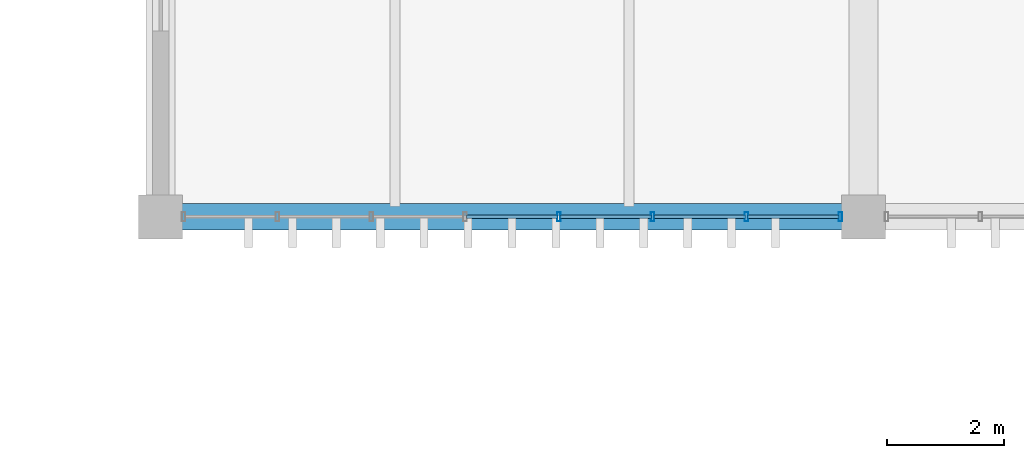
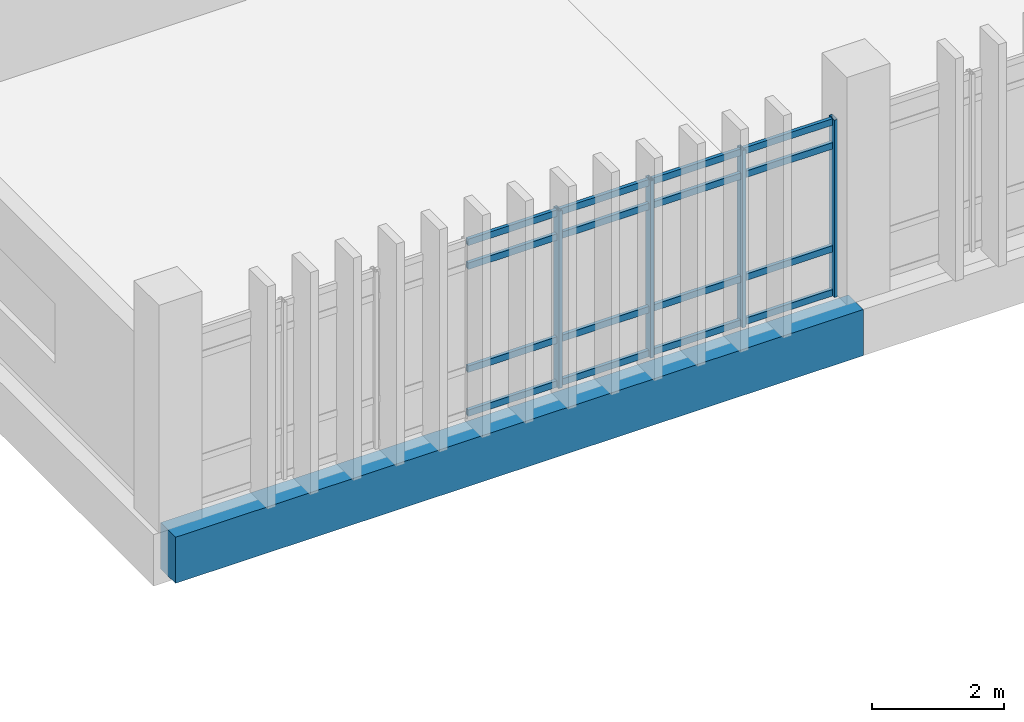
# One storey, part 67 of 161: 20 members, 1 beam, 1 element without a shape of its own.
"""IFC4 building model written with IfcOpenShell, lengths in metres."""

from ifc_helpers import new_model, si_unit, direction, frame, origin, origin_2d, place, context, subcontext, project, spatial, rectangle, hollow_rectangle, extrude, material, layer, layer_set, material_profile, profile_set, type_object, element, aggregate, save


model = new_model("IFC4")

# Units and contexts
model_context = context("Model", 3, precision=1e-05, world=origin(), true_north=direction((0.0, 1.0)))
body_context = subcontext(model_context, "Body", "Model", "MODEL_VIEW")
ifc_project = project(units=[si_unit("LENGTHUNIT", "METRE"), si_unit("AREAUNIT", "SQUARE_METRE"), si_unit("VOLUMEUNIT", "CUBIC_METRE"), si_unit("PLANEANGLEUNIT", "RADIAN"), si_unit("MASSUNIT", "GRAM", prefix="KILO")], contexts=[model_context])

# Site, building, storey
site_placement = place(None, origin())
site = spatial("IfcSite", under=ifc_project, at=site_placement, CompositionType="ELEMENT")
building_placement = place(site_placement, origin())
building = spatial("IfcBuilding", under=site, at=building_placement, Name="Mersad Railyard Sports Hall", CompositionType="ELEMENT")
storey_placement = place(building_placement, frame((0.0, 0.0, 4.800048828125)))
storey = spatial("IfcBuildingStorey", under=building, at=storey_placement, Name="L01", CompositionType="ELEMENT", Elevation=4.800048828125)

# Curtain wall, members
ifc_material_1 = material(Name="Aluminium 6063-T6", Category="aluminium")
ifc_layer = layer(ifc_material_1, 0.159912109375)
ifc_layer_set = layer_set([ifc_layer], Name="Aluminium 6063-T6")
curtain_wall_type = type_object("IfcCurtainWallType", Name="ARC-CW-CW37", PredefinedType="USERDEFINED", material=ifc_layer_set)
curtain_wall_placement = place(storey_placement, origin())
curtain_wall = element("IfcCurtainWall", 1, at=curtain_wall_placement, inside=storey, type_object=curtain_wall_type, Name="Curtain wall CW37-0104", ObjectType="CURTAIN WALL", PredefinedType="USERDEFINED")
ifc_material_profile_1 = material_profile(ifc_material_1, hollow_rectangle(XDim=0.06005859375, YDim=0.159912109375, WallThickness=0.00390625, at=origin_2d()), Name="AL MULLION 60x160x4")
ifc_profile_set_1 = profile_set([ifc_material_profile_1], Name="Aluminium 6063-T6")
member_type_1 = type_object("IfcMemberType", Name="ARC-CW-MUL01", PredefinedType="MULLION", material=ifc_profile_set_1)
member_1_placement = place(storey_placement, frame((54.60498046875, 85.0, -0.02001953125), z_axis=(0.0, 0.0, 1.0), x_axis=(1.0, 0.0, 0.0)))
member_1 = element("IfcMember", 2, at=member_1_placement, type_object=member_type_1, Name="CW37 Mullion 1", PredefinedType="MULLION", context=body_context, shape_type="SweptSolid", body=[
    extrude(hollow_rectangle(XDim=0.06005859375, YDim=0.159912109375, WallThickness=0.00390625, at=origin_2d()), origin(), (0.0, 0.0, 1.0), 3.27001953125),
])
member_2_placement = place(storey_placement, frame((53.003662109375, 85.0, -0.02001953125), z_axis=(0.0, 0.0, 1.0), x_axis=(1.0, 0.0, 0.0)))
member_2 = element("IfcMember", 3, at=member_2_placement, type_object=member_type_1, Name="CW37 Mullion 2", PredefinedType="MULLION", context=body_context, shape_type="SweptSolid", body=[
    extrude(hollow_rectangle(XDim=0.06005859375, YDim=0.159912109375, WallThickness=0.00390625, at=origin_2d()), origin(), (0.0, 0.0, 1.0), 3.27001953125),
])
member_3_placement = place(storey_placement, frame((51.402099609375, 85.0, -0.02001953125), z_axis=(0.0, 0.0, 1.0), x_axis=(1.0, 0.0, 0.0)))
member_3 = element("IfcMember", 4, at=member_3_placement, type_object=member_type_1, Name="CW37 Mullion 3", PredefinedType="MULLION", context=body_context, shape_type="SweptSolid", body=[
    extrude(hollow_rectangle(XDim=0.06005859375, YDim=0.159912109375, WallThickness=0.00390625, at=origin_2d()), origin(), (0.0, 0.0, 1.0), 3.27001953125),
])
member_4_placement = place(storey_placement, frame((49.80078125, 85.0, -0.02001953125), z_axis=(0.0, 0.0, 1.0), x_axis=(1.0, 0.0, 0.0)))
member_4 = element("IfcMember", 5, at=member_4_placement, type_object=member_type_1, Name="CW37 Mullion 4", PredefinedType="MULLION", context=body_context, shape_type="SweptSolid", body=[
    extrude(hollow_rectangle(XDim=0.06005859375, YDim=0.159912109375, WallThickness=0.00390625, at=origin_2d()), origin(), (0.0, 0.0, 1.0), 3.27001953125),
])
ifc_material_profile_2 = material_profile(ifc_material_1, hollow_rectangle(XDim=0.06005859375, YDim=0.1201171875, WallThickness=0.00390625, at=origin_2d()), Name="AL TRANSOM 60x120x4")
ifc_profile_set_2 = profile_set([ifc_material_profile_2], Name="Aluminium 6063-T6")
member_type_2 = type_object("IfcMemberType", Name="ARC-CW-TRN01", PredefinedType="USERDEFINED", material=ifc_profile_set_2)
member_5_placement = place(storey_placement, frame((54.5849609375, 85.0, 0.0400390625), z_axis=(-1.0, 0.0, 0.0), x_axis=(0.0, -1.0, 0.0)))
member_5 = element("IfcMember", 6, at=member_5_placement, type_object=member_type_2, Name="CW37 Transom 1-1", ObjectType="TRANSOM", PredefinedType="USERDEFINED", context=body_context, shape_type="SweptSolid", body=[
    extrude(hollow_rectangle(XDim=0.06005859375, YDim=0.1201171875, WallThickness=0.00390625, at=origin_2d()), origin(), (0.0, 0.0, 1.0), 1.561279296875),
])
member_6_placement = place(storey_placement, frame((52.983642578125, 85.0, 0.0400390625), z_axis=(-1.0, 0.0, 0.0), x_axis=(0.0, -1.0, 0.0)))
member_6 = element("IfcMember", 7, at=member_6_placement, type_object=member_type_2, Name="CW37 Transom 1-2", ObjectType="TRANSOM", PredefinedType="USERDEFINED", context=body_context, shape_type="SweptSolid", body=[
    extrude(hollow_rectangle(XDim=0.06005859375, YDim=0.1201171875, WallThickness=0.00390625, at=origin_2d()), origin(), (0.0, 0.0, 1.0), 1.5615234375),
])
member_7_placement = place(storey_placement, frame((51.382080078125, 85.0, 0.0400390625), z_axis=(-1.0, 0.0, 0.0), x_axis=(0.0, -1.0, 0.0)))
member_7 = element("IfcMember", 8, at=member_7_placement, type_object=member_type_2, Name="CW37 Transom 1-3", ObjectType="TRANSOM", PredefinedType="USERDEFINED", context=body_context, shape_type="SweptSolid", body=[
    extrude(hollow_rectangle(XDim=0.06005859375, YDim=0.1201171875, WallThickness=0.00390625, at=origin_2d()), origin(), (0.0, 0.0, 1.0), 1.561279296875),
])
member_8_placement = place(storey_placement, frame((49.78076171875, 85.0, 0.0400390625), z_axis=(-1.0, 0.0, 0.0), x_axis=(0.0, -1.0, 0.0)))
member_8 = element("IfcMember", 9, at=member_8_placement, type_object=member_type_2, Name="CW37 Transom 1-4", ObjectType="TRANSOM", PredefinedType="USERDEFINED", context=body_context, shape_type="SweptSolid", body=[
    extrude(hollow_rectangle(XDim=0.06005859375, YDim=0.1201171875, WallThickness=0.00390625, at=origin_2d()), origin(), (0.0, 0.0, 1.0), 1.5615234375),
])
member_9_placement = place(storey_placement, frame((54.5849609375, 85.0, 0.849853515625), z_axis=(-1.0, 0.0, 0.0), x_axis=(0.0, -1.0, 0.0)))
member_9 = element("IfcMember", 10, at=member_9_placement, type_object=member_type_2, Name="CW37 Transom 2-1", ObjectType="TRANSOM", PredefinedType="USERDEFINED", context=body_context, shape_type="SweptSolid", body=[
    extrude(hollow_rectangle(XDim=0.06005859375, YDim=0.1201171875, WallThickness=0.00390625, at=origin_2d()), origin(), (0.0, 0.0, 1.0), 1.561279296875),
])
member_10_placement = place(storey_placement, frame((52.983642578125, 85.0, 0.849853515625), z_axis=(-1.0, 0.0, 0.0), x_axis=(0.0, -1.0, 0.0)))
member_10 = element("IfcMember", 11, at=member_10_placement, type_object=member_type_2, Name="CW37 Transom 2-2", ObjectType="TRANSOM", PredefinedType="USERDEFINED", context=body_context, shape_type="SweptSolid", body=[
    extrude(hollow_rectangle(XDim=0.06005859375, YDim=0.1201171875, WallThickness=0.00390625, at=origin_2d()), origin(), (0.0, 0.0, 1.0), 1.5615234375),
])
member_11_placement = place(storey_placement, frame((51.382080078125, 85.0, 0.849853515625), z_axis=(-1.0, 0.0, 0.0), x_axis=(0.0, -1.0, 0.0)))
member_11 = element("IfcMember", 12, at=member_11_placement, type_object=member_type_2, Name="CW37 Transom 2-3", ObjectType="TRANSOM", PredefinedType="USERDEFINED", context=body_context, shape_type="SweptSolid", body=[
    extrude(hollow_rectangle(XDim=0.06005859375, YDim=0.1201171875, WallThickness=0.00390625, at=origin_2d()), origin(), (0.0, 0.0, 1.0), 1.561279296875),
])
member_12_placement = place(storey_placement, frame((49.78076171875, 85.0, 0.849853515625), z_axis=(-1.0, 0.0, 0.0), x_axis=(0.0, -1.0, 0.0)))
member_12 = element("IfcMember", 13, at=member_12_placement, type_object=member_type_2, Name="CW37 Transom 2-4", ObjectType="TRANSOM", PredefinedType="USERDEFINED", context=body_context, shape_type="SweptSolid", body=[
    extrude(hollow_rectangle(XDim=0.06005859375, YDim=0.1201171875, WallThickness=0.00390625, at=origin_2d()), origin(), (0.0, 0.0, 1.0), 1.5615234375),
])
member_13_placement = place(storey_placement, frame((54.5849609375, 85.0, 2.75), z_axis=(-1.0, 0.0, 0.0), x_axis=(0.0, -1.0, 0.0)))
member_13 = element("IfcMember", 14, at=member_13_placement, type_object=member_type_2, Name="CW37 Transom 3-1", ObjectType="TRANSOM", PredefinedType="USERDEFINED", context=body_context, shape_type="SweptSolid", body=[
    extrude(hollow_rectangle(XDim=0.06005859375, YDim=0.1201171875, WallThickness=0.00390625, at=origin_2d()), origin(), (0.0, 0.0, 1.0), 1.561279296875),
])
member_14_placement = place(storey_placement, frame((52.983642578125, 85.0, 2.75), z_axis=(-1.0, 0.0, 0.0), x_axis=(0.0, -1.0, 0.0)))
member_14 = element("IfcMember", 15, at=member_14_placement, type_object=member_type_2, Name="CW37 Transom 3-2", ObjectType="TRANSOM", PredefinedType="USERDEFINED", context=body_context, shape_type="SweptSolid", body=[
    extrude(hollow_rectangle(XDim=0.06005859375, YDim=0.1201171875, WallThickness=0.00390625, at=origin_2d()), origin(), (0.0, 0.0, 1.0), 1.5615234375),
])
member_15_placement = place(storey_placement, frame((51.382080078125, 85.0, 2.75), z_axis=(-1.0, 0.0, 0.0), x_axis=(0.0, -1.0, 0.0)))
member_15 = element("IfcMember", 16, at=member_15_placement, type_object=member_type_2, Name="CW37 Transom 3-3", ObjectType="TRANSOM", PredefinedType="USERDEFINED", context=body_context, shape_type="SweptSolid", body=[
    extrude(hollow_rectangle(XDim=0.06005859375, YDim=0.1201171875, WallThickness=0.00390625, at=origin_2d()), origin(), (0.0, 0.0, 1.0), 1.561279296875),
])
member_16_placement = place(storey_placement, frame((49.78076171875, 85.0, 2.75), z_axis=(-1.0, 0.0, 0.0), x_axis=(0.0, -1.0, 0.0)))
member_16 = element("IfcMember", 17, at=member_16_placement, type_object=member_type_2, Name="CW37 Transom 3-4", ObjectType="TRANSOM", PredefinedType="USERDEFINED", context=body_context, shape_type="SweptSolid", body=[
    extrude(hollow_rectangle(XDim=0.06005859375, YDim=0.1201171875, WallThickness=0.00390625, at=origin_2d()), origin(), (0.0, 0.0, 1.0), 1.5615234375),
])
member_17_placement = place(storey_placement, frame((54.5849609375, 85.0, 3.18994140625), z_axis=(-1.0, 0.0, 0.0), x_axis=(0.0, -1.0, 0.0)))
member_17 = element("IfcMember", 18, at=member_17_placement, type_object=member_type_2, Name="CW37 Transom 4-1", ObjectType="TRANSOM", PredefinedType="USERDEFINED", context=body_context, shape_type="SweptSolid", body=[
    extrude(hollow_rectangle(XDim=0.06005859375, YDim=0.1201171875, WallThickness=0.00390625, at=origin_2d()), origin(), (0.0, 0.0, 1.0), 1.561279296875),
])
member_18_placement = place(storey_placement, frame((52.983642578125, 85.0, 3.18994140625), z_axis=(-1.0, 0.0, 0.0), x_axis=(0.0, -1.0, 0.0)))
member_18 = element("IfcMember", 19, at=member_18_placement, type_object=member_type_2, Name="CW37 Transom 4-2", ObjectType="TRANSOM", PredefinedType="USERDEFINED", context=body_context, shape_type="SweptSolid", body=[
    extrude(hollow_rectangle(XDim=0.06005859375, YDim=0.1201171875, WallThickness=0.00390625, at=origin_2d()), origin(), (0.0, 0.0, 1.0), 1.5615234375),
])
member_19_placement = place(storey_placement, frame((51.382080078125, 85.0, 3.18994140625), z_axis=(-1.0, 0.0, 0.0), x_axis=(0.0, -1.0, 0.0)))
member_19 = element("IfcMember", 20, at=member_19_placement, type_object=member_type_2, Name="CW37 Transom 4-3", ObjectType="TRANSOM", PredefinedType="USERDEFINED", context=body_context, shape_type="SweptSolid", body=[
    extrude(hollow_rectangle(XDim=0.06005859375, YDim=0.1201171875, WallThickness=0.00390625, at=origin_2d()), origin(), (0.0, 0.0, 1.0), 1.561279296875),
])
member_20_placement = place(storey_placement, frame((49.78076171875, 85.0, 3.18994140625), z_axis=(-1.0, 0.0, 0.0), x_axis=(0.0, -1.0, 0.0)))
member_20 = element("IfcMember", 21, at=member_20_placement, type_object=member_type_2, Name="CW37 Transom 4-4", ObjectType="TRANSOM", PredefinedType="USERDEFINED", context=body_context, shape_type="SweptSolid", body=[
    extrude(hollow_rectangle(XDim=0.06005859375, YDim=0.1201171875, WallThickness=0.00390625, at=origin_2d()), origin(), (0.0, 0.0, 1.0), 1.5615234375),
])
aggregate(curtain_wall, [member_1, member_2, member_3, member_4, member_5, member_6, member_7, member_8, member_9, member_10, member_11, member_12, member_13, member_14, member_15, member_16, member_17, member_18, member_19, member_20])

# Beam
ifc_material_2 = material(Name="Concrete C40/50", Category="concrete")
ifc_material_profile_3 = material_profile(ifc_material_2, rectangle(XDim=0.449951171875, YDim=0.85009765625, at=origin_2d()), Name="RC 450x850")
ifc_profile_set_3 = profile_set([ifc_material_profile_3], Name="Concrete C40/50")
beam_type = type_object("IfcBeamType", Name="STR-BM-B02", PredefinedType="BEAM", material=ifc_profile_set_3)
beam_placement = place(storey_placement, frame((43.0, 85.0, -0.72509765625), z_axis=(1.0, 0.0, 0.0), x_axis=(0.0, 1.0, 0.0)))
element("IfcBeam", 22, at=beam_placement, inside=storey, type_object=beam_type, Name="Beam B02-0924", PredefinedType="BEAM", context=body_context, shape_type="SweptSolid", body=[
    extrude(rectangle(XDim=0.449951171875, YDim=0.85009765625, at=origin_2d()), origin(), (0.0, 0.0, 1.0), 12.0),
])

save(model, "model.ifc")
